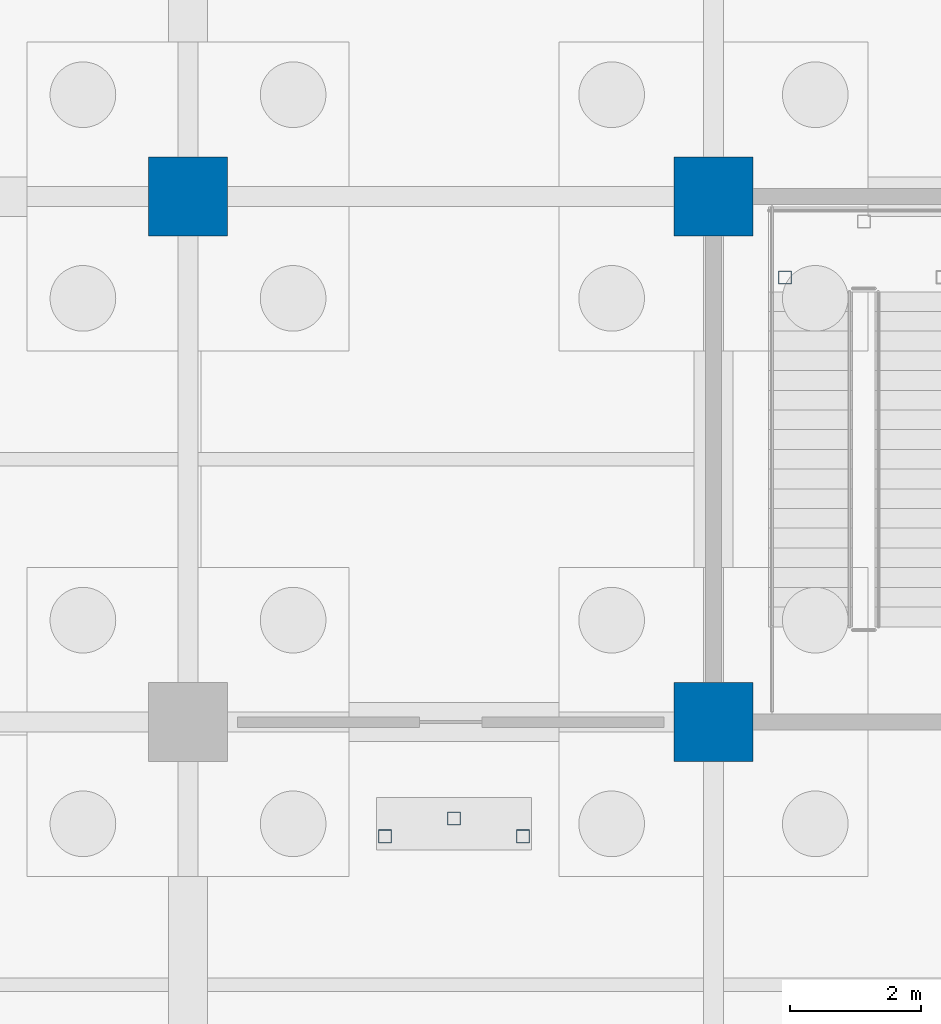
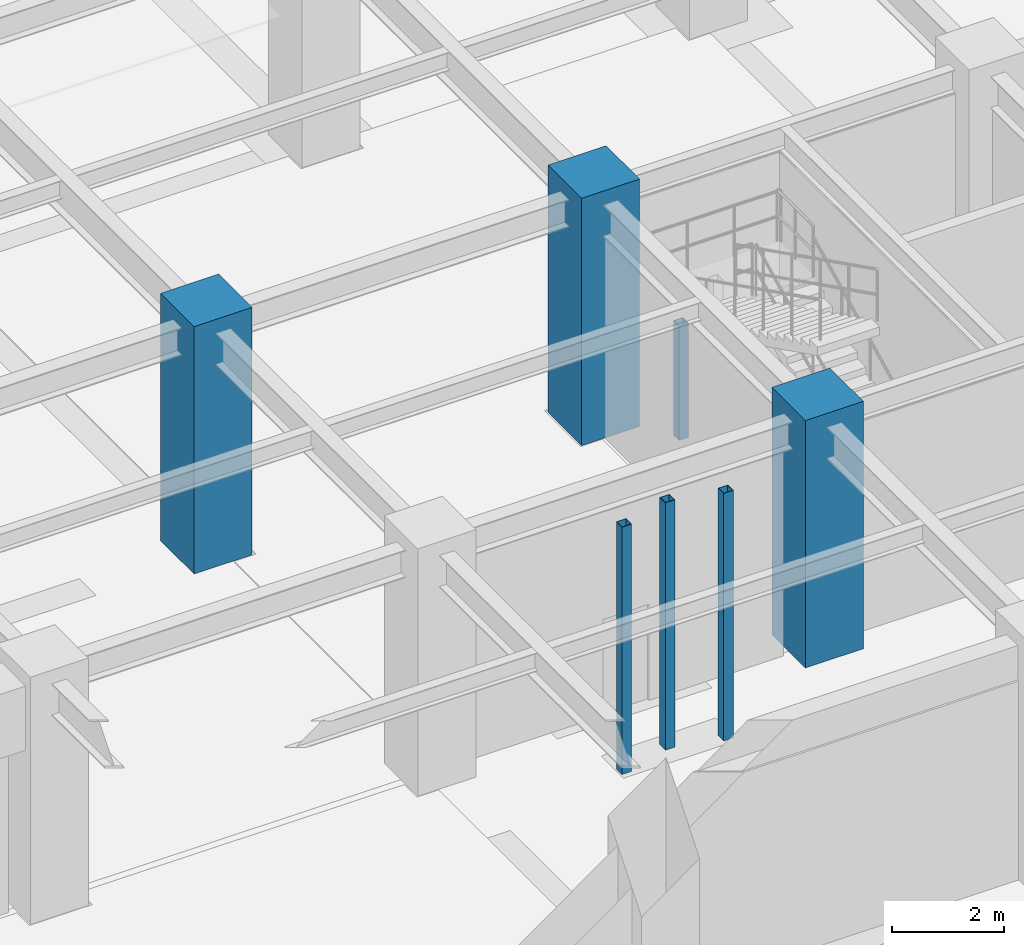
# One storey, part 52 of 97: 7 columns.
"""IFC4 building model written with IfcOpenShell, lengths in metres."""

from ifc_helpers import new_model, si_unit, direction, frame, origin, origin_2d, place, context, subcontext, project, spatial, rectangle, hollow_rectangle, extrude, material, material_profile, profile_set, type_object, element, save


model = new_model("IFC4")

# Units and contexts
model_context = context("Model", 3, precision=1e-05, world=origin(), true_north=direction((0.0, 1.0)))
body_context = subcontext(model_context, "Body", "Model", "MODEL_VIEW")
ifc_project = project(units=[si_unit("LENGTHUNIT", "METRE"), si_unit("AREAUNIT", "SQUARE_METRE"), si_unit("VOLUMEUNIT", "CUBIC_METRE"), si_unit("PLANEANGLEUNIT", "RADIAN"), si_unit("MASSUNIT", "GRAM", prefix="KILO")], contexts=[model_context])

# Site, building, storey
site_placement = place(None, origin())
site = spatial("IfcSite", under=ifc_project, at=site_placement, CompositionType="ELEMENT")
building_placement = place(site_placement, origin())
building = spatial("IfcBuilding", under=site, at=building_placement, Name="Haebicheon Civic Stadium", CompositionType="ELEMENT")
storey_placement = place(building_placement, frame((0.0, 0.0, -5.39990234375)))
storey = spatial("IfcBuildingStorey", under=building, at=storey_placement, Name="B1", CompositionType="ELEMENT", Elevation=-5.39990234375)

# Columns
ifc_material_1 = material(Name="Concrete C40/50", Category="concrete")
ifc_material_profile_1 = material_profile(ifc_material_1, rectangle(XDim=1.199951171875, YDim=1.199951171875, at=origin_2d()), Name="RC-COL-1200x1200")
ifc_profile_set_1 = profile_set([ifc_material_profile_1], Name="Concrete C40/50")
column_type_1 = type_object("IfcColumnType", Name="COL-RC-1200", PredefinedType="COLUMN", material=ifc_profile_set_1)
for number, where, z_axis, x_axis, name in (
    (1, (80.0, 168.0, 0.0), (0.0, 0.0, 1.0), (1.0, 0.0, 0.0), "B1 column 11/X"),
    (2, (88.0, 160.0, 0.0), (0.0, 0.0, 1.0), (1.0, 0.0, 0.0), "B1 column 12/W"),
    (3, (88.0, 168.0, 0.0), (0.0, 0.0, 1.0), (1.0, 0.0, 0.0), "B1 column 12/X"),
):
    element("IfcColumn", number, at=place(storey_placement, frame(where, z_axis=z_axis, x_axis=x_axis)), inside=storey, type_object=column_type_1, material=ifc_profile_set_1, Name=name, PredefinedType="COLUMN", context=body_context, shape_type="SweptSolid", body=[
        extrude(rectangle(XDim=1.199951171875, YDim=1.199951171875, at=origin_2d()), origin(), (0.0, 0.0, 1.0), 5.39990234375),
    ])
ifc_material_2 = material(Name="Steel SM355 (S355)", Category="steel")
ifc_material_profile_2 = material_profile(ifc_material_2, hollow_rectangle(XDim=0.199951171875, YDim=0.199951171875, WallThickness=0.009033203125, at=origin_2d()), Name="RHS-200x200x9.0")
ifc_profile_set_2 = profile_set([ifc_material_profile_2], Name="Steel SM355 (S355)")
column_type_2 = type_object("IfcColumnType", Name="COL-ST-RHS200", PredefinedType="COLUMN", material=ifc_profile_set_2)
column_placement = place(storey_placement, frame((89.090087890625, 166.77001953125, 0.0), z_axis=(0.0, 0.0, 1.0), x_axis=(1.0, 0.0, 0.0)))
element("IfcColumn", 4, at=column_placement, inside=storey, type_object=column_type_2, material=ifc_profile_set_2, Name="KC-08 B1 stair half-landing support post A", PredefinedType="COLUMN", context=body_context, shape_type="SweptSolid", body=[
    extrude(hollow_rectangle(XDim=0.199951171875, YDim=0.199951171875, WallThickness=0.009033203125, at=origin_2d()), origin(), (0.0, 0.0, 1.0), 2.5),
])
for number, where, z_axis, x_axis, name in (
    (5, (83.0, 158.260009765625, 0.0), (0.0, 0.0, 1.0), (1.0, 0.0, 0.0), "VM-09 B1 vomitory landing support post A"),
    (6, (85.10009765625, 158.260009765625, 0.0), (0.0, 0.0, 1.0), (1.0, 0.0, 0.0), "VM-09 B1 vomitory landing support post B"),
    (7, (84.050048828125, 158.530029296875, 0.0), (0.0, 0.0, 1.0), (1.0, 0.0, 0.0), "VM-09 B1 vomitory landing support post C"),
):
    element("IfcColumn", number, at=place(storey_placement, frame(where, z_axis=z_axis, x_axis=x_axis)), inside=storey, type_object=column_type_2, material=ifc_profile_set_2, Name=name, PredefinedType="COLUMN", context=body_context, shape_type="SweptSolid", body=[
        extrude(hollow_rectangle(XDim=0.199951171875, YDim=0.199951171875, WallThickness=0.009033203125, at=origin_2d()), origin(), (0.0, 0.0, 1.0), 5.39990234375),
    ])

save(model, "model.ifc")
